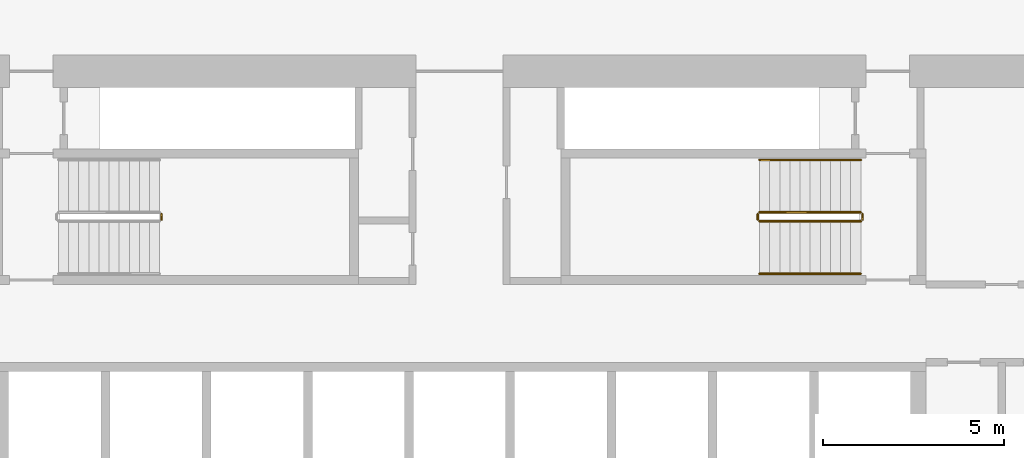
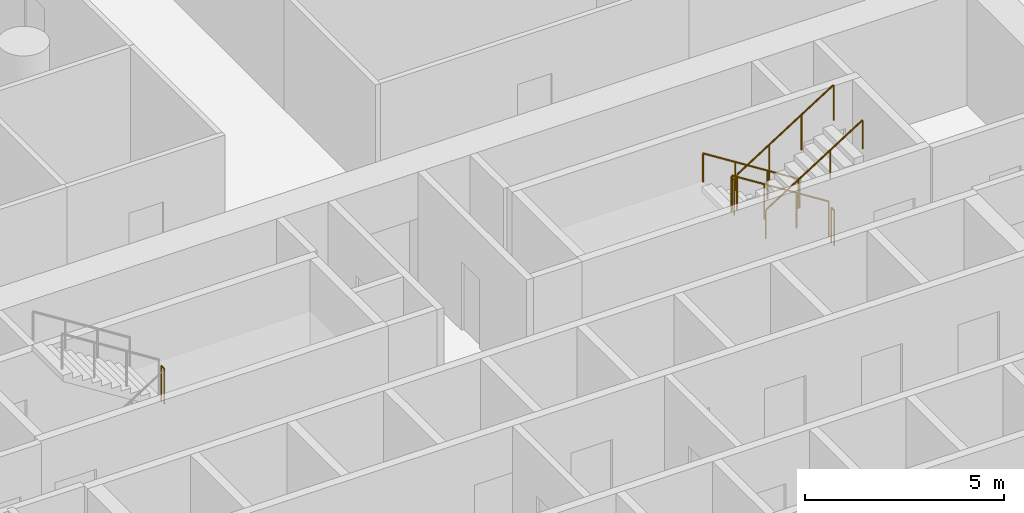
# One storey, part 17 of 18: 7 railings.
"""IFC4 building model written with IfcOpenShell, lengths in metres."""

import ifcopenshell
import ifcopenshell.guid

model = None  # the IFC model being written
_history = None  # IfcOwnerHistory: only IFC2X3 demands one
_inside = {}  # id of a spatial element -> (the spatial element, [elements in it])
_under = {}  # id of a project, library or spatial element -> (it, [spatial elements below it])
_declared = {}  # id of a project -> (the project, [libraries it declares])
_typed = {}  # id of a type object -> (the type object, [elements of that type])
_made_of = {}  # id of a material, layer set ... -> (it, [elements and type objects made of it])


def new_model(schema):
    """Start an empty IFC model of exactly this schema.

    Asked for "IFC4X3", IfcOpenShell would pick the latest addendum, in which some entities
    have other attributes; the version numbers below select the first issue.
    IFC2X3 requires an IfcOwnerHistory on every rooted entity: one is made here for all.
    """
    global model, _history
    if schema == "IFC4X3":
        model = ifcopenshell.file(schema_version=(4, 3, 0, 0))
    else:
        model = ifcopenshell.file(schema=schema)
    _inside.clear()
    _under.clear()
    _declared.clear()
    _typed.clear()
    _made_of.clear()
    _history = None
    if model.schema == "IFC2X3":
        org = make("IfcOrganization", Name="unknown")
        user = make(
            "IfcPersonAndOrganization",
            ThePerson=make("IfcPerson", FamilyName="unknown"),
            TheOrganization=org,
        )
        app = make(
            "IfcApplication",
            ApplicationDeveloper=org,
            Version="unknown",
            ApplicationFullName="unknown",
            ApplicationIdentifier="unknown",
        )
        _history = make(
            "IfcOwnerHistory",
            OwningUser=user,
            OwningApplication=app,
            ChangeAction="ADDED",
            CreationDate=0,
        )
    return model


def make(cls, **values):
    """One entity of the class cls with the attributes given. An attribute that is None is left unset."""
    return model.create_entity(
        cls, **{name: value for name, value in values.items() if value is not None}
    )


def rooted(cls, **values):
    """An entity with a GlobalId (a new one), such as an element, a storey or a relation."""
    return make(cls, GlobalId=ifcopenshell.guid.new(), OwnerHistory=_history, **values)


def si_unit(unit_type, name, prefix=None):
    """IfcSIUnit, for example si_unit("LENGTHUNIT", "METRE", prefix="MILLI")."""
    return make("IfcSIUnit", UnitType=unit_type, Prefix=prefix, Name=name)


def assignment(units):
    """IfcUnitAssignment: the units of a project."""
    return None if units is None else make("IfcUnitAssignment", Units=units)


def point(xyz):
    """IfcCartesianPoint."""
    return None if xyz is None else make("IfcCartesianPoint", Coordinates=xyz)


def direction(xyz):
    """IfcDirection."""
    return None if xyz is None else make("IfcDirection", DirectionRatios=xyz)


def frame(location, z_axis=None, x_axis=None):
    """IfcAxis2Placement3D, a coordinate frame: its origin and axes. An axis left out is left unset."""
    return make(
        "IfcAxis2Placement3D",
        Location=point(location),
        Axis=direction(z_axis),
        RefDirection=direction(x_axis),
    )


def frame_2d(location, x_axis=None):
    """IfcAxis2Placement2D, a coordinate frame in the plane: its origin and x axis."""
    return make(
        "IfcAxis2Placement2D", Location=point(location), RefDirection=direction(x_axis)
    )


def origin():
    """The frame at (0, 0, 0) with its axes left unset."""
    return frame((0.0, 0.0, 0.0))


def origin_2d():
    """The frame at (0, 0) in the plane with its x axis left unset."""
    return frame_2d((0.0, 0.0))


def place(relative_to, where):
    """IfcLocalPlacement: puts the frame where relative to a parent placement (None: the world)."""
    return make(
        "IfcLocalPlacement", PlacementRelTo=relative_to, RelativePlacement=where
    )


def context(
    kind, dimensions, precision=None, world=None, true_north=None, identifier=None
):
    """IfcGeometricRepresentationContext, for example the 3D "Model" context."""
    return make(
        "IfcGeometricRepresentationContext",
        ContextIdentifier=identifier,
        ContextType=kind,
        CoordinateSpaceDimension=dimensions,
        Precision=precision,
        WorldCoordinateSystem=world,
        TrueNorth=true_north,
    )


def subcontext(parent, identifier, kind, view, scale=None):
    """IfcGeometricRepresentationSubContext, for example "Body" below "Model"."""
    return make(
        "IfcGeometricRepresentationSubContext",
        ContextIdentifier=identifier,
        ContextType=kind,
        ParentContext=parent,
        TargetScale=scale,
        TargetView=view,
    )


def project(units=None, contexts=None):
    """IfcProject with its units and contexts."""
    return rooted(
        "IfcProject",
        Name="project",
        RepresentationContexts=contexts,
        UnitsInContext=assignment(units),
    )


def spatial(cls, under=None, at=None, **own):
    """A site, building, storey or space (cls), placed at a placement, below another one or the project."""
    s = rooted(cls, ObjectPlacement=at, **own)
    if under is not None:
        _under.setdefault(under.id(), (under, []))[1].append(s)
    return s


def profile(cls, at=None, kind="AREA", **sizes):
    """A parametric profile (cls). Its sizes go by their IFC names, for example OverallWidth=200.0."""
    return make(cls, ProfileType=kind, Position=at, **sizes)


def circle(**sizes):
    """IfcCircleProfileDef."""
    return profile("IfcCircleProfileDef", **sizes)


def extrude(swept, where, along, depth):
    """IfcExtrudedAreaSolid: the profile swept, set in the frame where, extruded along a direction by depth."""
    return make(
        "IfcExtrudedAreaSolid",
        SweptArea=swept,
        Position=where,
        ExtrudedDirection=direction(along),
        Depth=depth,
    )


def shape(context_of_items, identifier, shape_type, items):
    """IfcShapeRepresentation: the items that make up one representation, for example the "Body"."""
    return make(
        "IfcShapeRepresentation",
        ContextOfItems=context_of_items,
        RepresentationIdentifier=identifier,
        RepresentationType=shape_type,
        Items=items,
    )


def material(Name=None, Category=None):
    """IfcMaterial."""
    return make("IfcMaterial", Name=Name, Category=Category)


def made_of(thing, what):
    """Note that an element or type object is made of a material, layer set ...; save() writes the relation."""
    if what is not None:
        _made_of.setdefault(what.id(), (what, []))[1].append(thing)
    return thing


def type_object(cls, material=None, **own):
    """A type object (cls), such as IfcWallType, which elements share."""
    return made_of(rooted(cls, **own), material)


def element(
    cls,
    number,
    at=None,
    inside=None,
    cuts=None,
    type_object=None,
    material=None,
    context=None,
    identifier="Body",
    shape_type=None,
    held_by="IfcProductDefinitionShape",
    body=None,
    shapes=None,
    **own,
):
    """One element of the class cls, such as IfcWall. Its Tag is "e" and its number.

    at: its placement. inside: the storey or other place that contains it. cuts: it is an
    opening in that element (IfcRelVoidsElement). A single representation is given by context,
    identifier, shape_type and body (its items); several are given by shapes. held_by: the class
    of the entity that holds the representations. save() writes the other relations.
    """
    e = rooted(cls, Tag="e%d" % number, ObjectPlacement=at, **own)
    if body is not None:
        shapes = [shape(context, identifier, shape_type, body)]
    if shapes is not None:
        e.Representation = make(held_by, Representations=shapes)
    if inside is not None:
        _inside.setdefault(inside.id(), (inside, []))[1].append(e)
    if cuts is not None:
        rooted(
            "IfcRelVoidsElement", RelatingBuildingElement=cuts, RelatedOpeningElement=e
        )
    if type_object is not None:
        _typed.setdefault(type_object.id(), (type_object, []))[1].append(e)
    return made_of(e, material)


def aggregate(whole, parts):
    """IfcRelAggregates: a whole, such as a stair, and the parts it consists of."""
    return rooted("IfcRelAggregates", RelatingObject=whole, RelatedObjects=parts)


def save(model, path):
    """Write the relations noted so far, then the file.

    IfcRelAggregates (storeys below a building ...), IfcRelContainedInSpatialStructure (elements
    in a storey), IfcRelDefinesByType, IfcRelAssociatesMaterial and IfcRelDeclares: one each for
    every whole, place, type object, material and project.
    """
    for whole, parts in _under.values():
        aggregate(whole, parts)
    for where, things in _inside.values():
        rooted(
            "IfcRelContainedInSpatialStructure",
            RelatedElements=things,
            RelatingStructure=where,
        )
    for kind, things in _typed.values():
        rooted("IfcRelDefinesByType", RelatedObjects=things, RelatingType=kind)
    for what, things in _made_of.values():
        rooted("IfcRelAssociatesMaterial", RelatedObjects=things, RelatingMaterial=what)
    for by, libraries in _declared.values():
        rooted("IfcRelDeclares", RelatingContext=by, RelatedDefinitions=libraries)
    model.write(path)


model = new_model("IFC4")

# Units and contexts
model_context = context("Model", 3, precision=1e-05, world=origin(), true_north=direction((0.0, 1.0)))
body_context = subcontext(model_context, "Body", "Model", "MODEL_VIEW")
ifc_project = project(units=[si_unit("LENGTHUNIT", "METRE"), si_unit("AREAUNIT", "SQUARE_METRE"), si_unit("VOLUMEUNIT", "CUBIC_METRE"), si_unit("PLANEANGLEUNIT", "RADIAN"), si_unit("MASSUNIT", "GRAM", prefix="KILO")], contexts=[model_context])

# Site, building, storey
site_placement = place(None, origin())
site = spatial("IfcSite", under=ifc_project, at=site_placement, CompositionType="ELEMENT")
building_placement = place(site_placement, origin())
building = spatial("IfcBuilding", under=site, at=building_placement, Name="Dhurran Vertical Campus", CompositionType="ELEMENT")
storey_placement = place(building_placement, frame((0.0, 0.0, 81.300048828125)))
storey = spatial("IfcBuildingStorey", under=building, at=storey_placement, Name="L19", CompositionType="ELEMENT", Elevation=81.300048828125)

# Railings
ifc_material_1 = material(Name="Stainless steel balustrade", Category="steel")
railing_type_1 = type_object("IfcRailingType", Name="co-RL-GUARD-1100", PredefinedType="GUARDRAIL", material=ifc_material_1)
railing_1_placement = place(storey_placement, frame((-8.25, 8.949951171875, 1.949951171875)))
element("IfcRailing", 1, at=railing_1_placement, inside=storey, type_object=railing_type_1, Name="L19 ST1 stair guard 2", PredefinedType="GUARDRAIL", context=body_context, shape_type="SweptSolid", body=[
    extrude(circle(Radius=0.02392578125, at=origin_2d()), frame((0.0, 0.0, 1.076171875), z_axis=(0.0, 1.0, 0.0), x_axis=(-1.0, 0.0, 0.0)), (0.0, 0.0, 1.0), 0.150146484375),
    extrude(circle(Radius=0.02099609375, at=origin_2d()), origin(), (0.0, 0.0, 1.0), 1.052001953125),
    extrude(circle(Radius=0.02099609375, at=origin_2d()), frame((0.0, 0.150146484375, 0.0)), (0.0, 0.0, 1.0), 1.052001953125),
])
railing_2_placement = place(storey_placement, frame((11.10009765625, 9.14990234375, 0.17724609375)))
element("IfcRailing", 2, at=railing_2_placement, inside=storey, type_object=railing_type_1, Name="L19 ST2 stair guard 1", PredefinedType="GUARDRAIL", context=body_context, shape_type="SweptSolid", body=[
    extrude(circle(Radius=0.02392578125, at=origin_2d()), frame((0.0, 0.0, 1.076171875), z_axis=(-0.844908973607, 0.0, 0.534910110503), x_axis=(0.0, -1.0, 0.0)), (0.0, 0.0, 1.0), 3.31396484375),
    extrude(circle(Radius=0.02099609375, at=origin_2d()), origin(), (0.0, 0.0, 1.0), 1.052001953125),
    extrude(circle(Radius=0.02099609375, at=origin_2d()), frame((-0.933349609375, 0.0, 0.5908203125)), (0.0, 0.0, 1.0), 1.052001953125),
    extrude(circle(Radius=0.02099609375, at=origin_2d()), frame((-1.86669921875, 0.0, 1.181884765625)), (0.0, 0.0, 1.0), 1.052001953125),
    extrude(circle(Radius=0.02099609375, at=origin_2d()), frame((-2.800048828125, 0.0, 1.772705078125)), (0.0, 0.0, 1.0), 1.052001953125),
])
railing_3_placement = place(storey_placement, frame((8.25, 9.10009765625, 1.949951171875)))
element("IfcRailing", 3, at=railing_3_placement, inside=storey, type_object=railing_type_1, Name="L19 ST2 stair guard 2", PredefinedType="GUARDRAIL", context=body_context, shape_type="SweptSolid", body=[
    extrude(circle(Radius=0.02392578125, at=origin_2d()), frame((0.0, 0.0, 1.076171875), z_axis=(0.0, -1.0, 0.0), x_axis=(1.0, 0.0, 0.0)), (0.0, 0.0, 1.0), 0.150146484375),
    extrude(circle(Radius=0.02099609375, at=origin_2d()), origin(), (0.0, 0.0, 1.0), 1.052001953125),
    extrude(circle(Radius=0.02099609375, at=origin_2d()), frame((0.0, -0.150146484375, 0.0)), (0.0, 0.0, 1.0), 1.052001953125),
])
railing_4_placement = place(storey_placement, frame((8.300048828125, 8.89990234375, 2.127197265625)))
element("IfcRailing", 4, at=railing_4_placement, inside=storey, type_object=railing_type_1, Name="L19 ST2 stair guard 3", PredefinedType="GUARDRAIL", context=body_context, shape_type="SweptSolid", body=[
    extrude(circle(Radius=0.02392578125, at=origin_2d()), frame((0.0, 0.0, 1.076171875), z_axis=(0.844908973607, 0.0, 0.534910110503), x_axis=(0.0, 1.0, 0.0)), (0.0, 0.0, 1.0), 3.31396484375),
    extrude(circle(Radius=0.02099609375, at=origin_2d()), origin(), (0.0, 0.0, 1.0), 1.052001953125),
    extrude(circle(Radius=0.02099609375, at=origin_2d()), frame((0.933349609375, 0.0, 0.5908203125)), (0.0, 0.0, 1.0), 1.052001953125),
    extrude(circle(Radius=0.02099609375, at=origin_2d()), frame((1.86669921875, 0.0, 1.181884765625)), (0.0, 0.0, 1.0), 1.052001953125),
    extrude(circle(Radius=0.02099609375, at=origin_2d()), frame((2.800048828125, 0.0, 1.772705078125)), (0.0, 0.0, 1.0), 1.052001953125),
])
railing_5_placement = place(storey_placement, frame((11.14990234375, 9.10009765625, 0.0)))
element("IfcRailing", 5, at=railing_5_placement, inside=storey, type_object=railing_type_1, Name="L19 ST2 stair guard 4", PredefinedType="GUARDRAIL", context=body_context, shape_type="SweptSolid", body=[
    extrude(circle(Radius=0.02392578125, at=origin_2d()), frame((0.0, 0.0, 1.076171875), z_axis=(0.0, -1.0, 0.0), x_axis=(1.0, 0.0, 0.0)), (0.0, 0.0, 1.0), 0.150146484375),
    extrude(circle(Radius=0.02099609375, at=origin_2d()), origin(), (0.0, 0.0, 1.0), 1.052001953125),
    extrude(circle(Radius=0.02099609375, at=origin_2d()), frame((0.0, -0.150146484375, 0.0)), (0.0, 0.0, 1.0), 1.052001953125),
])
ifc_material_2 = material(Name="Stainless steel handrail", Category="steel")
railing_type_2 = type_object("IfcRailingType", Name="co-RL-HANDRAIL-900", PredefinedType="HANDRAIL", material=ifc_material_2)
railing_6_placement = place(storey_placement, frame((11.10009765625, 10.60009765625, 0.17724609375)))
element("IfcRailing", 6, at=railing_6_placement, inside=storey, type_object=railing_type_2, Name="L19 ST2 stair handrail 1", PredefinedType="HANDRAIL", context=body_context, shape_type="SweptSolid", body=[
    extrude(circle(Radius=0.02392578125, at=origin_2d()), frame((0.0, 0.0, 0.8759765625), z_axis=(-0.844908973607, 0.0, 0.534910110503), x_axis=(0.0, -1.0, 0.0)), (0.0, 0.0, 1.0), 3.31396484375),
    extrude(circle(Radius=0.02099609375, at=origin_2d()), origin(), (0.0, 0.0, 1.0), 0.851806640625),
    extrude(circle(Radius=0.02099609375, at=origin_2d()), frame((-0.933349609375, 0.0, 0.5908203125)), (0.0, 0.0, 1.0), 0.851806640625),
    extrude(circle(Radius=0.02099609375, at=origin_2d()), frame((-1.86669921875, 0.0, 1.181884765625)), (0.0, 0.0, 1.0), 0.851806640625),
    extrude(circle(Radius=0.02099609375, at=origin_2d()), frame((-2.800048828125, 0.0, 1.772705078125)), (0.0, 0.0, 1.0), 0.851806640625),
])
railing_7_placement = place(storey_placement, frame((8.300048828125, 7.449951171875, 2.127197265625)))
element("IfcRailing", 7, at=railing_7_placement, inside=storey, type_object=railing_type_2, Name="L19 ST2 stair handrail 2", PredefinedType="HANDRAIL", context=body_context, shape_type="SweptSolid", body=[
    extrude(circle(Radius=0.02392578125, at=origin_2d()), frame((0.0, 0.0, 0.8759765625), z_axis=(0.844908973607, 0.0, 0.534910110503), x_axis=(0.0, 1.0, 0.0)), (0.0, 0.0, 1.0), 3.31396484375),
    extrude(circle(Radius=0.02099609375, at=origin_2d()), origin(), (0.0, 0.0, 1.0), 0.851806640625),
    extrude(circle(Radius=0.02099609375, at=origin_2d()), frame((0.933349609375, 0.0, 0.5908203125)), (0.0, 0.0, 1.0), 0.851806640625),
    extrude(circle(Radius=0.02099609375, at=origin_2d()), frame((1.86669921875, 0.0, 1.181884765625)), (0.0, 0.0, 1.0), 0.851806640625),
    extrude(circle(Radius=0.02099609375, at=origin_2d()), frame((2.800048828125, 0.0, 1.772705078125)), (0.0, 0.0, 1.0), 0.851806640625),
])

save(model, "model.ifc")
